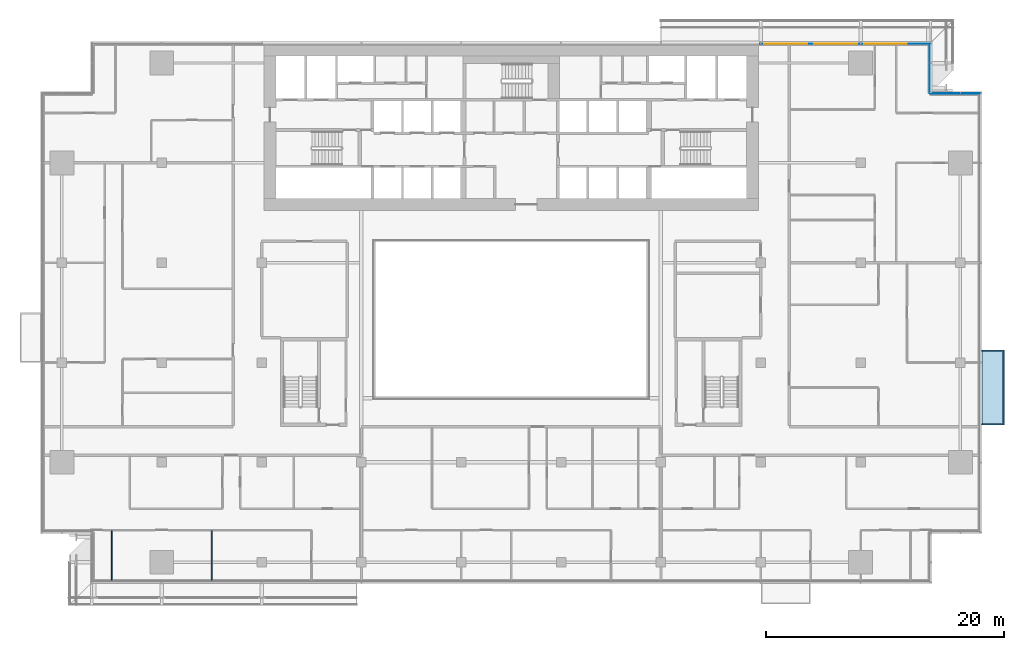
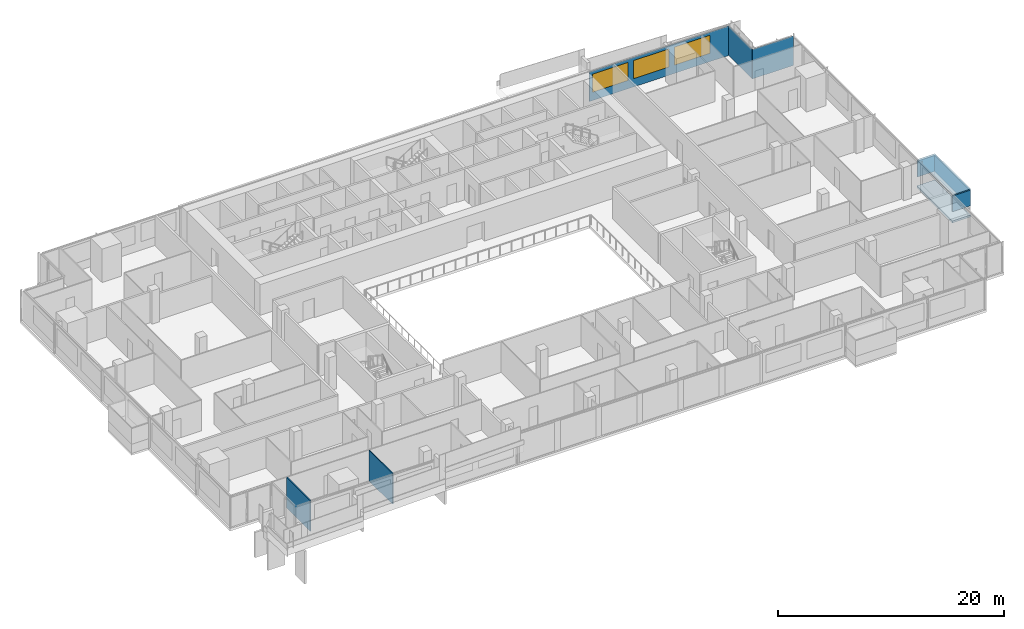
# One storey, part 16 of 29: 5 plates, 3 windows, 2 walls, 1 slab, 3 openings, 3 elements without a shape of their own.
"""IFC4 building model written with IfcOpenShell, lengths in metres."""

from ifc_helpers import new_model, si_unit, direction, frame, frame_2d, origin, place, context, subcontext, project, spatial, polyline, rectangle, outline, extrude, material, layer, layer_set, type_object, element, fill, aggregate, save


model = new_model("IFC4")

# Units and contexts
model_context = context("Model", 3, precision=1e-05, world=origin(), true_north=direction((0.0, 1.0)))
body_context = subcontext(model_context, "Body", "Model", "MODEL_VIEW")
ifc_project = project(units=[si_unit("LENGTHUNIT", "METRE"), si_unit("AREAUNIT", "SQUARE_METRE"), si_unit("VOLUMEUNIT", "CUBIC_METRE"), si_unit("PLANEANGLEUNIT", "RADIAN"), si_unit("MASSUNIT", "GRAM", prefix="KILO")], contexts=[model_context])

# Site, building, storey
site_placement = place(None, origin())
site = spatial("IfcSite", under=ifc_project, at=site_placement, CompositionType="ELEMENT")
building_placement = place(site_placement, origin())
building = spatial("IfcBuilding", under=site, at=building_placement, Name="Saffron Gate Tower", CompositionType="ELEMENT")
storey_placement = place(building_placement, frame((0.0, 0.0, 116.85009765625)))
storey = spatial("IfcBuildingStorey", under=building, at=storey_placement, Name="L27", CompositionType="ELEMENT", Elevation=116.85009765625)

# Curtain wall, plate, openings, windows
ifc_material_1 = material(Name="Aluminium, bronze anodised", Category="aluminium")
curtain_wall_type_1 = type_object("IfcCurtainWallType", Name="CWS3 curtain wall rear facade", PredefinedType="NOTDEFINED", material=ifc_material_1)
curtain_wall_1_placement = place(storey_placement, origin())
curtain_wall_1 = element("IfcCurtainWall", 1, at=curtain_wall_1_placement, inside=storey, type_object=curtain_wall_type_1, Name="CWS3 run 7", PredefinedType="NOTDEFINED")
ifc_material_2 = material(Name="Fritted grey-tinted laminated glass", Category="glass")
ifc_layer_1 = layer(ifc_material_2, 0.028076171875)
ifc_layer_set_1 = layer_set([ifc_layer_1], Name="CWS3 fixed glass")
plate_type_1 = type_object("IfcPlateType", Name="CWS3 fixed glass", PredefinedType="CURTAIN_PANEL", material=ifc_layer_set_1)
plate_1_placement = place(storey_placement, frame((122.81201171875, 75.426025390625, 0.0), z_axis=(0.0, 0.0, 1.0), x_axis=(-1.0, 0.0, 0.0)))
plate_1 = element("IfcPlate", 2, at=plate_1_placement, type_object=plate_type_1, Name="CWS3 glass panel", PredefinedType="CURTAIN_PANEL", context=body_context, shape_type="SweptSolid", body=[
    extrude(rectangle(XDim=14.2470703125, YDim=0.028076171875, at=frame_2d((7.12353515625, 0.0))), origin(), (0.0, 0.0, 1.0), 3.199951171875),
])
opening_1_placement = place(plate_1_placement, frame((1.912109375, 0.0, 0.89990234375)))
opening_1 = element("IfcOpeningElement", 3, at=opening_1_placement, cuts=plate_1, Name="Opening W1", PredefinedType="OPENING", context=body_context, shape_type="SweptSolid", body=[
    extrude(rectangle(XDim=3.60009765625, YDim=1.949951171875, at=frame_2d((1.800048828125, 0.97509765625))), frame((0.0, 0.02392578125, 0.0), z_axis=(0.0, -1.0, 0.0), x_axis=(1.0, 0.0, 0.0)), (0.0, 0.0, 1.0), 0.048095703125),
])
opening_2_placement = place(plate_1_placement, frame((6.112060546875, 0.0, 0.89990234375)))
opening_2 = element("IfcOpeningElement", 4, at=opening_2_placement, cuts=plate_1, Name="Opening W1", PredefinedType="OPENING", context=body_context, shape_type="SweptSolid", body=[
    extrude(rectangle(XDim=3.60009765625, YDim=1.949951171875, at=frame_2d((1.800048828125, 0.97509765625))), frame((0.0, 0.02392578125, 0.0), z_axis=(0.0, -1.0, 0.0), x_axis=(1.0, 0.0, 0.0)), (0.0, 0.0, 1.0), 0.048095703125),
])
opening_3_placement = place(plate_1_placement, frame((10.31201171875, 0.0, 0.89990234375)))
opening_3 = element("IfcOpeningElement", 5, at=opening_3_placement, cuts=plate_1, Name="Opening W1", PredefinedType="OPENING", context=body_context, shape_type="SweptSolid", body=[
    extrude(rectangle(XDim=3.60009765625, YDim=1.949951171875, at=frame_2d((1.800048828125, 0.97509765625))), frame((0.0, 0.02392578125, 0.0), z_axis=(0.0, -1.0, 0.0), x_axis=(1.0, 0.0, 0.0)), (0.0, 0.0, 1.0), 0.048095703125),
])
ifc_material_3 = material(Name="Fritted bronze-tinted laminated glass in bronze frame", Category="glass")
ifc_layer_2 = layer(ifc_material_3, 0.06005859375)
ifc_layer_set_2 = layer_set([ifc_layer_2], Name="W1 operable panel 3600x1950")
window_type = type_object("IfcWindowType", Name="W1 operable panel 3600x1950", PartitioningType="DOUBLE_PANEL_HORIZONTAL", PredefinedType="WINDOW", material=ifc_layer_set_2)
window_1_placement = place(opening_1_placement, origin())
window_1 = element("IfcWindow", 6, at=window_1_placement, type_object=window_type, Name="W1 operable panel", OverallHeight=1.949951171875, OverallWidth=3.60009765625, PartitioningType="SINGLE_PANEL", PredefinedType="WINDOW", context=body_context, shape_type="SweptSolid", body=[
    extrude(rectangle(XDim=3.60009765625, YDim=1.949951171875, at=frame_2d((1.800048828125, 0.97509765625))), frame((0.0, 0.013671875, 0.0), z_axis=(0.0, -1.0, 0.0), x_axis=(1.0, 0.0, 0.0)), (0.0, 0.0, 1.0), 0.027587890625),
])
fill(opening_1, window_1)
window_2_placement = place(opening_2_placement, origin())
window_2 = element("IfcWindow", 7, at=window_2_placement, type_object=window_type, Name="W1 operable panel", OverallHeight=1.949951171875, OverallWidth=3.60009765625, PartitioningType="SINGLE_PANEL", PredefinedType="WINDOW", context=body_context, shape_type="SweptSolid", body=[
    extrude(rectangle(XDim=3.60009765625, YDim=1.949951171875, at=frame_2d((1.800048828125, 0.97509765625))), frame((0.0, 0.013671875, 0.0), z_axis=(0.0, -1.0, 0.0), x_axis=(1.0, 0.0, 0.0)), (0.0, 0.0, 1.0), 0.027587890625),
])
fill(opening_2, window_2)
window_3_placement = place(opening_3_placement, origin())
window_3 = element("IfcWindow", 8, at=window_3_placement, type_object=window_type, Name="W1 operable panel", OverallHeight=1.949951171875, OverallWidth=3.60009765625, PartitioningType="SINGLE_PANEL", PredefinedType="WINDOW", context=body_context, shape_type="SweptSolid", body=[
    extrude(rectangle(XDim=3.60009765625, YDim=1.949951171875, at=frame_2d((1.800048828125, 0.97509765625))), frame((0.0, 0.013671875, 0.0), z_axis=(0.0, -1.0, 0.0), x_axis=(1.0, 0.0, 0.0)), (0.0, 0.0, 1.0), 0.027587890625),
])
fill(opening_3, window_3)
aggregate(curtain_wall_1, [plate_1, window_1, window_2, window_3])

# Curtain wall, plate
curtain_wall_type_2 = type_object("IfcCurtainWallType", Name="CWS4 curtain wall corner returns", PredefinedType="NOTDEFINED", material=ifc_material_1)
curtain_wall_2_placement = place(storey_placement, origin())
curtain_wall_2 = element("IfcCurtainWall", 9, at=curtain_wall_2_placement, inside=storey, type_object=curtain_wall_type_2, Name="CWS4 run 5", PredefinedType="NOTDEFINED")
ifc_material_4 = material(Name="Fritted bronze-tinted laminated glass", Category="glass")
ifc_layer_3 = layer(ifc_material_4, 0.028076171875)
ifc_layer_set_3 = layer_set([ifc_layer_3], Name="CWS4 fixed glass")
plate_type_2 = type_object("IfcPlateType", Name="CWS4 fixed glass", PredefinedType="CURTAIN_PANEL", material=ifc_layer_set_3)
plate_2_placement = place(storey_placement, frame((127.011962890625, 71.22607421875, 0.0), z_axis=(0.0, 0.0, 1.0), x_axis=(-1.0, 0.0, 0.0)))
plate_2 = element("IfcPlate", 10, at=plate_2_placement, type_object=plate_type_2, Name="CWS4 glass panel", PredefinedType="CURTAIN_PANEL", context=body_context, shape_type="SweptSolid", body=[
    extrude(rectangle(XDim=4.171875, YDim=0.028076171875, at=frame_2d((2.0859375, 0.0))), origin(), (0.0, 0.0, 1.0), 3.199951171875),
])
aggregate(curtain_wall_2, [plate_2])

curtain_wall_3_placement = place(storey_placement, origin())
curtain_wall_3 = element("IfcCurtainWall", 11, at=curtain_wall_3_placement, inside=storey, type_object=curtain_wall_type_2, Name="CWS4 run 6", PredefinedType="NOTDEFINED")
plate_3_placement = place(storey_placement, frame((122.825927734375, 71.239990234375, 0.0), z_axis=(0.0, 0.0, 1.0), x_axis=(0.0, 1.0, 0.0)))
plate_3 = element("IfcPlate", 12, at=plate_3_placement, type_object=plate_type_2, Name="CWS4 glass panel", PredefinedType="CURTAIN_PANEL", context=body_context, shape_type="SweptSolid", body=[
    extrude(rectangle(XDim=4.172119140625, YDim=0.028076171875, at=frame_2d((2.0859375, 0.0))), origin(), (0.0, 0.0, 1.0), 3.199951171875),
])
aggregate(curtain_wall_3, [plate_3])

# Slab
ifc_material_5 = material(Name="Timber deck on bronze frame", Category="wood")
ifc_layer_4 = layer(ifc_material_5, 0.199951171875)
ifc_layer_set_4 = layer_set([ifc_layer_4], Name="WB1 box floor")
slab_type = type_object("IfcSlabType", Name="WB1 box floor", PredefinedType="FLOOR", material=ifc_layer_set_4)
slab_placement = place(storey_placement, frame((0.0, 0.0, -0.2001953125)))
element("IfcSlab", 13, at=slab_placement, inside=storey, type_object=slab_type, Name="WINDOW BOX floor", PredefinedType="FLOOR", context=body_context, shape_type="SweptSolid", body=[
    extrude(outline(polyline([(127.199951171875, 43.35009765625), (127.199951171875, 49.64990234375), (129.06689453125, 49.64990234375), (129.06689453125, 43.35009765625), (127.199951171875, 43.35009765625)])), origin(), (0.0, 0.0, 1.0), 0.2001953125),
])

# Plates
ifc_layer_5 = layer(ifc_material_1, 0.1201171875)
ifc_layer_set_5 = layer_set([ifc_layer_5], Name="WB2 box roof")
plate_type_3 = type_object("IfcPlateType", Name="WB2 box roof", PredefinedType="SHEET", material=ifc_layer_set_5)
plate_4_placement = place(storey_placement, frame((0.0, 0.0, 2.699951171875)))
element("IfcPlate", 14, at=plate_4_placement, inside=storey, type_object=plate_type_3, Name="WINDOW BOX roof", PredefinedType="SHEET", context=body_context, shape_type="SweptSolid", body=[
    extrude(outline(polyline([(127.199951171875, 43.35009765625), (127.199951171875, 49.64990234375), (129.06689453125, 49.64990234375), (129.06689453125, 43.35009765625), (127.199951171875, 43.35009765625)])), origin(), (0.0, 0.0, 1.0), 0.119873046875),
])
ifc_material_6 = material(Name="Clear low-iron laminated glass", Category="glass")
ifc_layer_6 = layer(ifc_material_6, 0.10009765625)
ifc_layer_set_6 = layer_set([ifc_layer_6], Name="WB6 box glazing")
plate_type_4 = type_object("IfcPlateType", Name="WB6 box glazing", PredefinedType="SHEET", material=ifc_layer_set_6)
plate_5_placement = place(storey_placement, frame((0.0, 0.0, 1.0)))
element("IfcPlate", 15, at=plate_5_placement, inside=storey, type_object=plate_type_4, Name="WINDOW BOX glazing", PredefinedType="SHEET", context=body_context, shape_type="SweptSolid", body=[
    extrude(outline(polyline([(127.199951171875, 43.35009765625), (127.199951171875, 43.449951171875), (128.967041015625, 43.449951171875), (128.967041015625, 49.550048828125), (127.199951171875, 49.550048828125), (127.199951171875, 49.64990234375), (129.06689453125, 49.64990234375), (129.06689453125, 43.35009765625), (127.199951171875, 43.35009765625)])), origin(), (0.0, 0.0, 1.0), 1.699951171875),
])

# Walls
ifc_material_7 = material(Name="Plasterboard on steel studs", Category="steel")
ifc_layer_7 = layer(ifc_material_7, 0.10009765625)
ifc_layer_set_7 = layer_set([ifc_layer_7], Name="PW1 Partition 100")
wall_type = type_object("IfcWallType", Name="PW1 Partition 100", PredefinedType="PARTITIONING", material=ifc_layer_set_7)
for number, where, z_axis, x_axis, name in (
    (16, (54.0, 34.449951171875, 0.0), (0.0, 0.0, 1.0), (0.0, -1.0, 0.0), "Partition B3-48"),
    (17, (62.39990234375, 34.449951171875, 0.0), (0.0, 0.0, 1.0), (0.0, -1.0, 0.0), "Partition B3-54"),
):
    element("IfcWall", number, at=place(storey_placement, frame(where, z_axis=z_axis, x_axis=x_axis)), inside=storey, type_object=wall_type, Name=name, PredefinedType="PARTITIONING", context=body_context, shape_type="SweptSolid", body=[
        extrude(rectangle(XDim=4.169921875, YDim=0.10009765625, at=frame_2d((2.0849609375, 0.0))), origin(), (0.0, 0.0, 1.0), 3.31982421875),
    ])

save(model, "model.ifc")
